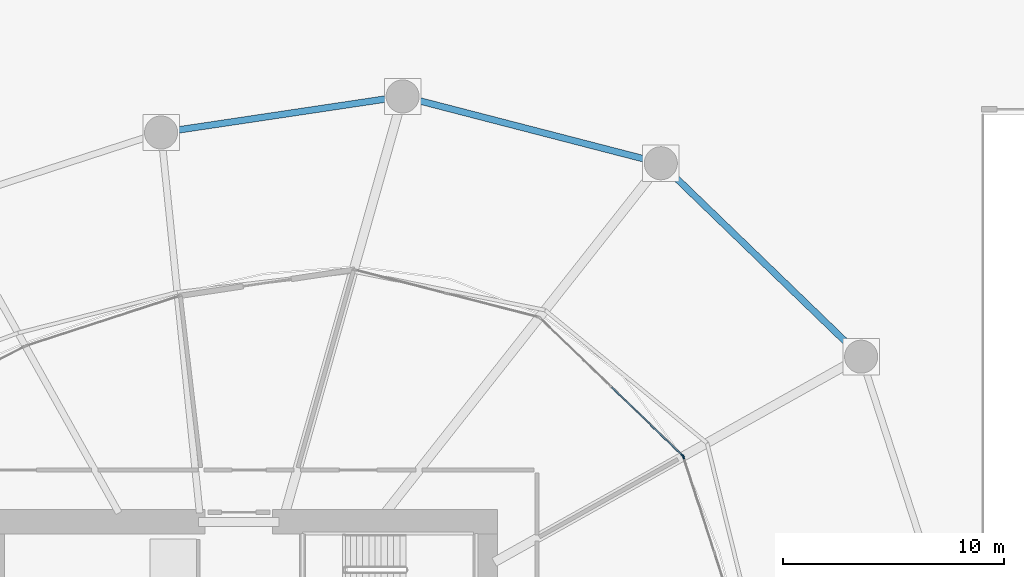
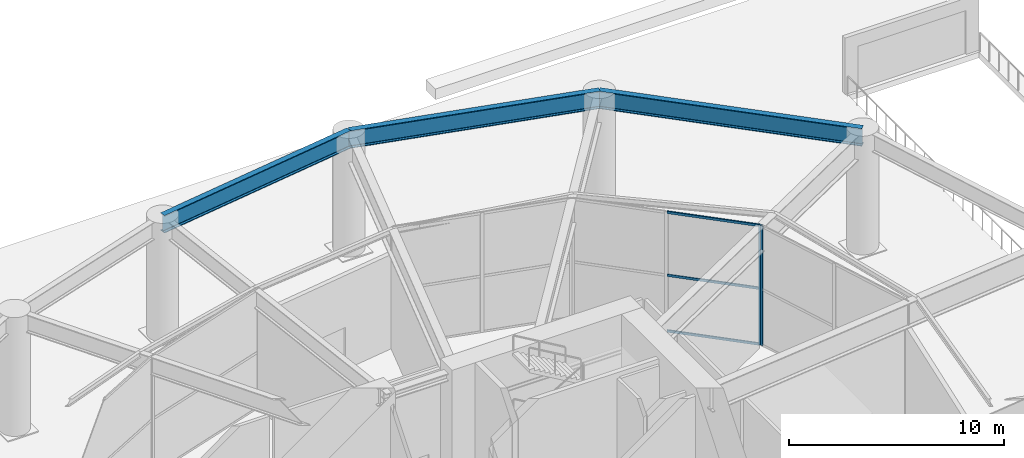
# One storey, part 16 of 28: 5 members, 3 beams, 2 elements without a shape of their own.
"""IFC4 building model written with IfcOpenShell, lengths in metres."""

from ifc_helpers import new_model, si_unit, direction, frame, origin, origin_2d, place, context, subcontext, project, spatial, rectangle, i_section, extrude, material, layer, layer_set, material_profile, profile_set, type_object, element, aggregate, save


model = new_model("IFC4")

# Units and contexts
model_context = context("Model", 3, precision=1e-05, world=origin(), true_north=direction((0.0, 1.0)))
body_context = subcontext(model_context, "Body", "Model", "MODEL_VIEW")
ifc_project = project(units=[si_unit("LENGTHUNIT", "METRE"), si_unit("AREAUNIT", "SQUARE_METRE"), si_unit("VOLUMEUNIT", "CUBIC_METRE"), si_unit("PLANEANGLEUNIT", "RADIAN"), si_unit("MASSUNIT", "GRAM", prefix="KILO")], contexts=[model_context])

# Site, building, storey
site_placement = place(None, origin())
site = spatial("IfcSite", under=ifc_project, at=site_placement, CompositionType="ELEMENT")
building_placement = place(site_placement, origin())
building = spatial("IfcBuilding", under=site, at=building_placement, Name="Kazma Halo Residences", CompositionType="ELEMENT")
storey_placement = place(building_placement, origin())
storey = spatial("IfcBuildingStorey", under=building, at=storey_placement, Name="L00", CompositionType="ELEMENT", Elevation=0.0)

# Beams
ifc_material_1 = material(Name="Steel S355", Category="steel")
ifc_material_profile_1 = material_profile(ifc_material_1, i_section(OverallWidth=0.300048828125, OverallDepth=1.0, WebThickness=0.01904296875, FlangeThickness=0.0400390625, FilletRadius=0.02587890625, at=origin_2d()), Name="W1000x371")
ifc_profile_set_1 = profile_set([ifc_material_profile_1], Name="Steel S355")
beam_type = type_object("IfcBeamType", Name="BM-TRANS-W1000B", PredefinedType="BEAM", material=ifc_profile_set_1)
beam_1_placement = place(storey_placement, frame((76.6328125, 58.03515625, 6.300048828125), z_axis=(-0.719339467226, 0.694658715407, 0.0), x_axis=(-0.694658715407, -0.719339467226, 0.0)))
element("IfcBeam", 1, at=beam_1_placement, inside=storey, type_object=beam_type, Name="L00 perimeter ring beam 01", PredefinedType="BEAM", context=body_context, shape_type="SweptSolid", body=[
    extrude(i_section(OverallWidth=0.300048828125, OverallDepth=1.0, WebThickness=0.01904296875, FlangeThickness=0.0400390625, FilletRadius=0.02587890625, at=origin_2d()), origin(), (0.0, 0.0, 1.0), 12.6220703125),
])
beam_2_placement = place(storey_placement, frame((67.55322265625, 66.80322265625, 6.300048828125), z_axis=(-0.968123781445, 0.250472241578, 0.0), x_axis=(-0.250472241578, -0.968123781445, 0.0)))
element("IfcBeam", 2, at=beam_2_placement, inside=storey, type_object=beam_type, Name="L00 perimeter ring beam 02", PredefinedType="BEAM", context=body_context, shape_type="SweptSolid", body=[
    extrude(i_section(OverallWidth=0.300048828125, OverallDepth=1.0, WebThickness=0.01904296875, FlangeThickness=0.0400390625, FilletRadius=0.02587890625, at=origin_2d()), origin(), (0.0, 0.0, 1.0), 12.08935546875),
])
beam_3_placement = place(storey_placement, frame((55.84912109375, 69.831298828125, 6.300048828125), z_axis=(-0.989031581018, -0.14770420356, 0.0), x_axis=(0.14770420356, -0.989031581018, 0.0)))
element("IfcBeam", 3, at=beam_3_placement, inside=storey, type_object=beam_type, Name="L00 perimeter ring beam 03", PredefinedType="BEAM", context=body_context, shape_type="SweptSolid", body=[
    extrude(i_section(OverallWidth=0.300048828125, OverallDepth=1.0, WebThickness=0.01904296875, FlangeThickness=0.0400390625, FilletRadius=0.02587890625, at=origin_2d()), origin(), (0.0, 0.0, 1.0), 11.071044921875),
])

# Curtain wall, member
ifc_material_2 = material(Name="Aluminium AW-6063 T6 and Triple-Silver Low-E Glass", Category="aluminium")
ifc_layer = layer(ifc_material_2, 0.179931640625)
ifc_layer_set = layer_set([ifc_layer], Name="Aluminium AW-6063 T6 and Triple-Silver Low-E Glass")
curtain_wall_type = type_object("IfcCurtainWallType", Name="CW-SYS-1", PredefinedType="NOTDEFINED", material=ifc_layer_set)
curtain_wall_1_placement = place(storey_placement, origin())
curtain_wall_1 = element("IfcCurtainWall", 4, at=curtain_wall_1_placement, inside=storey, type_object=curtain_wall_type, Name="L00 lobby unitised curtain wall 01", PredefinedType="NOTDEFINED")
ifc_material_3 = material(Name="Aluminium AW-6063 T6", Category="aluminium")
ifc_material_profile_2 = material_profile(ifc_material_3, rectangle(XDim=0.06494140625, YDim=0.179931640625, at=origin_2d()), Name="CWM-65x180")
ifc_profile_set_2 = profile_set([ifc_material_profile_2], Name="Aluminium AW-6063 T6")
member_type_1 = type_object("IfcMemberType", Name="CW-SYS-1-MUL", PredefinedType="MULLION", material=ifc_profile_set_2)
member_1_placement = place(storey_placement, frame((68.547607421875, 53.542724609375, 0.0), z_axis=(0.0, 0.0, 1.0), x_axis=(-0.694293926432, -0.719691561517, 0.0)))
member_1 = element("IfcMember", 5, at=member_1_placement, type_object=member_type_1, Name="CWS-1 mullion 1", PredefinedType="MULLION", context=body_context, shape_type="SweptSolid", body=[
    extrude(rectangle(XDim=0.06494140625, YDim=0.179931640625, at=origin_2d()), origin(), (0.0, 0.0, 1.0), 6.800048828125),
])

curtain_wall_2_placement = place(storey_placement, origin())
curtain_wall_2 = element("IfcCurtainWall", 6, at=curtain_wall_2_placement, inside=storey, type_object=curtain_wall_type, Name="L00 lobby unitised curtain wall 16", PredefinedType="NOTDEFINED")
member_2_placement = place(storey_placement, frame((68.5810546875, 53.4892578125, 0.0), z_axis=(0.0, 0.0, 1.0), x_axis=(-0.951057232628, -0.309014789719, 0.0)))
member_2 = element("IfcMember", 7, at=member_2_placement, type_object=member_type_1, Name="CWS-1 mullion 3", PredefinedType="MULLION", context=body_context, shape_type="SweptSolid", body=[
    extrude(rectangle(XDim=0.06494140625, YDim=0.179931640625, at=origin_2d()), origin(), (0.0, 0.0, 1.0), 6.800048828125),
])
aggregate(curtain_wall_2, [member_2])

# Member
ifc_material_profile_3 = material_profile(ifc_material_3, rectangle(XDim=0.06494140625, YDim=0.135009765625, at=origin_2d()), Name="CWT-65x135")
ifc_profile_set_3 = profile_set([ifc_material_profile_3], Name="Aluminium AW-6063 T6")
member_type_2 = type_object("IfcMemberType", Name="CW-SYS-1-TRN", PredefinedType="USERDEFINED", material=ifc_profile_set_3)
member_3_placement = place(storey_placement, frame((68.524169921875, 53.5654296875, 0.032470703125), z_axis=(-0.719704828407, 0.69428017397, 0.0), x_axis=(-0.69428017397, -0.719704828407, 0.0)))
member_3 = element("IfcMember", 8, at=member_3_placement, type_object=member_type_2, Name="CWS-1 transom 1.1", ObjectType="TRANSOM", PredefinedType="USERDEFINED", context=body_context, shape_type="SweptSolid", body=[
    extrude(rectangle(XDim=0.06494140625, YDim=0.135009765625, at=origin_2d()), origin(), (0.0, 0.0, 1.0), 4.436279296875),
])

member_4_placement = place(storey_placement, frame((68.524169921875, 53.5654296875, 3.199951171875), z_axis=(-0.719704828407, 0.69428017397, 0.0), x_axis=(-0.69428017397, -0.719704828407, 0.0)))
member_4 = element("IfcMember", 9, at=member_4_placement, type_object=member_type_2, Name="CWS-1 transom 1.2", ObjectType="TRANSOM", PredefinedType="USERDEFINED", context=body_context, shape_type="SweptSolid", body=[
    extrude(rectangle(XDim=0.06494140625, YDim=0.135009765625, at=origin_2d()), origin(), (0.0, 0.0, 1.0), 4.436279296875),
])

member_5_placement = place(storey_placement, frame((68.524169921875, 53.5654296875, 6.767578125), z_axis=(-0.719704828407, 0.69428017397, 0.0), x_axis=(-0.69428017397, -0.719704828407, 0.0)))
member_5 = element("IfcMember", 10, at=member_5_placement, type_object=member_type_2, Name="CWS-1 transom 1.3", ObjectType="TRANSOM", PredefinedType="USERDEFINED", context=body_context, shape_type="SweptSolid", body=[
    extrude(rectangle(XDim=0.06494140625, YDim=0.135009765625, at=origin_2d()), origin(), (0.0, 0.0, 1.0), 4.436279296875),
])

aggregate(curtain_wall_1, [member_1, member_3, member_4, member_5])

save(model, "model.ifc")
